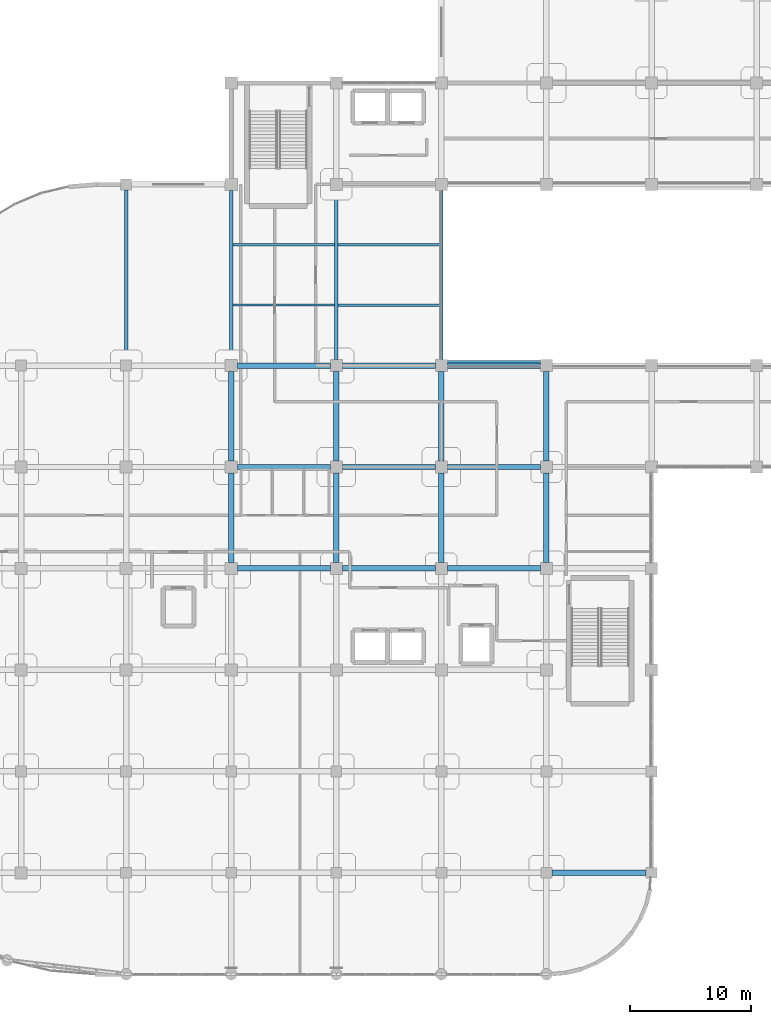
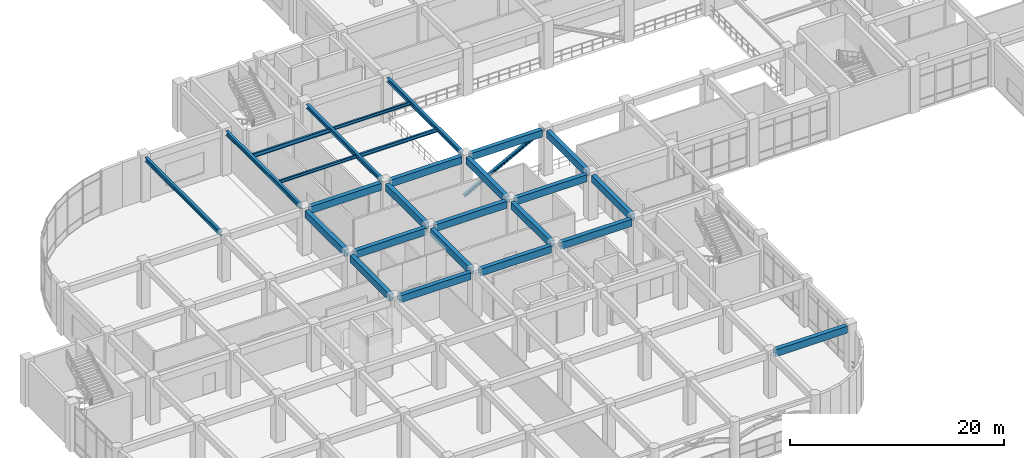
# One storey, part 22 of 114: 26 beams, 1 member.
"""IFC4 building model written with IfcOpenShell, lengths in metres."""

from ifc_helpers import new_model, si_unit, derived_unit, direction, frame, origin, origin_2d, place, context, subcontext, project, spatial, rectangle, i_section, extrude, material, material_profile, profile_set, type_object, element, save


model = new_model("IFC4")

# Units and contexts
model_context = context("Model", 3, precision=1e-05, world=origin(), true_north=direction((0.0, 1.0)))
body_context = subcontext(model_context, "Body", "Model", "MODEL_VIEW")
ifc_project = project(units=[si_unit("LENGTHUNIT", "METRE"), si_unit("AREAUNIT", "SQUARE_METRE"), si_unit("VOLUMEUNIT", "CUBIC_METRE"), si_unit("PLANEANGLEUNIT", "RADIAN"), si_unit("MASSUNIT", "GRAM", prefix="KILO"), derived_unit("THERMALTRANSMITTANCEUNIT", [(si_unit("MASSUNIT", "GRAM", prefix="KILO"), 1), (si_unit("TIMEUNIT", "SECOND"), -3), (si_unit("THERMODYNAMICTEMPERATUREUNIT", "KELVIN"), -1)])], contexts=[model_context])

# Site, building, storey
site_placement = place(None, origin())
site = spatial("IfcSite", under=ifc_project, at=site_placement, CompositionType="ELEMENT")
building_placement = place(site_placement, origin())
building = spatial("IfcBuilding", under=site, at=building_placement, Name="Qinzheling Arcade Emporium", CompositionType="ELEMENT")
storey_placement = place(building_placement, frame((0.0, 0.0, 6.0)))
storey = spatial("IfcBuildingStorey", under=building, at=storey_placement, Name="L02", CompositionType="ELEMENT", Elevation=6.0)

# Beams
ifc_material_1 = material(Name="Structural steel Q355B", Category="steel")
ifc_material_profile_1 = material_profile(ifc_material_1, i_section(OverallWidth=0.300048828125, OverallDepth=0.488037109375, WebThickness=0.010986328125, FlangeThickness=0.01806640625, FilletRadius=0.02197265625, at=origin_2d()), Name="HM 488x300x11x18", Category="steel")
ifc_profile_set_1 = profile_set([ifc_material_profile_1], Name="Structural steel Q355B")
beam_type_1 = type_object("IfcBeamType", Name="Atrium Bridge Girder HM488 Q355B", PredefinedType="USERDEFINED", material=ifc_profile_set_1)
beam_1_placement = place(storey_placement, frame((26.10009765625, 50.85009765625, 4.8759765625), z_axis=(0.0, 1.0, 0.0), x_axis=(-1.0, 0.0, 0.0)))
element("IfcBeam", 1, at=beam_1_placement, inside=storey, type_object=beam_type_1, Name="Beam BM-L02-Y-4-G", ObjectType="TRANSFER_GIRDER", PredefinedType="USERDEFINED", context=body_context, shape_type="SweptSolid", body=[
    extrude(i_section(OverallWidth=0.300048828125, OverallDepth=0.488037109375, WebThickness=0.010986328125, FlangeThickness=0.01806640625, FilletRadius=0.02197265625, at=origin_2d()), origin(), (0.0, 0.0, 1.0), 14.099853515625),
])
for number, where, z_axis, x_axis, name in (
    (2, (34.800048828125, 50.89990234375, 4.8759765625), (0.0, 1.0, 0.0), (-1.0, 0.0, 0.0), "Beam BM-L02-Y-5-G"),
    (3, (43.5, 50.89990234375, 4.8759765625), (0.0, 1.0, 0.0), (-1.0, 0.0, 0.0), "Beam BM-L02-Y-6-G"),
    (4, (52.199951171875, 50.89990234375, 4.8759765625), (0.0, 1.0, 0.0), (-1.0, 0.0, 0.0), "Beam BM-L02-Y-7-G"),
):
    element("IfcBeam", number, at=place(storey_placement, frame(where, z_axis=z_axis, x_axis=x_axis)), inside=storey, type_object=beam_type_1, Name=name, ObjectType="TRANSFER_GIRDER", PredefinedType="USERDEFINED", context=body_context, shape_type="SweptSolid", body=[
        extrude(i_section(OverallWidth=0.300048828125, OverallDepth=0.488037109375, WebThickness=0.010986328125, FlangeThickness=0.01806640625, FilletRadius=0.02197265625, at=origin_2d()), origin(), (0.0, 0.0, 1.0), 14.0),
    ])
ifc_material_profile_2 = material_profile(ifc_material_1, i_section(OverallWidth=0.175048828125, OverallDepth=0.35009765625, WebThickness=0.007080078125, FlangeThickness=0.010986328125, FilletRadius=0.013916015625, at=origin_2d()), Name="HN 350x175x7x11", Category="steel")
ifc_profile_set_2 = profile_set([ifc_material_profile_2], Name="Structural steel Q355B")
beam_type_2 = type_object("IfcBeamType", Name="Canopy Secondary Joist HN350 Q355B", PredefinedType="JOIST", material=ifc_profile_set_2)
for number, where, z_axis, x_axis, name in (
    (5, (34.955078125, 55.39990234375, 4.945068359375), (1.0, 0.0, 0.0), (0.0, 1.0, 0.0), "Secondary Joist JST-L02-5-1"),
    (6, (43.655029296875, 60.39990234375, 4.945068359375), (1.0, 0.0, 0.0), (0.0, 1.0, 0.0), "Secondary Joist JST-L02-6-2"),
):
    element("IfcBeam", number, at=place(storey_placement, frame(where, z_axis=z_axis, x_axis=x_axis)), inside=storey, type_object=beam_type_2, Name=name, PredefinedType="JOIST", context=body_context, shape_type="SweptSolid", body=[
        extrude(i_section(OverallWidth=0.175048828125, OverallDepth=0.35009765625, WebThickness=0.007080078125, FlangeThickness=0.010986328125, FilletRadius=0.013916015625, at=origin_2d()), origin(), (0.0, 0.0, 1.0), 8.389892578125),
    ])

# Member
ifc_material_profile_3 = material_profile(ifc_material_1, i_section(OverallWidth=0.300048828125, OverallDepth=0.300048828125, WebThickness=0.010009765625, FlangeThickness=0.014892578125, FilletRadius=0.01806640625, at=origin_2d()), Name="HW 300x300x10x15", Category="steel")
ifc_profile_set_3 = profile_set([ifc_material_profile_3], Name="Structural steel Q355B")
member_type = type_object("IfcMemberType", Name="Escalator Truss Stringer HW300 Q355B", PredefinedType="STRINGER", material=ifc_profile_set_3)
member_placement = place(storey_placement, frame((52.199951171875, 50.679931640625, 0.179931640625), z_axis=(0.881080107144, 0.0, 0.472967065233), x_axis=(0.0, 1.0, 0.0)))
element("IfcMember", 7, at=member_placement, inside=storey, type_object=member_type, Name="Escalator Stringer ESC-STR-L02-1", PredefinedType="STRINGER", context=body_context, shape_type="SweptSolid", body=[
    extrude(i_section(OverallWidth=0.300048828125, OverallDepth=0.300048828125, WebThickness=0.010009765625, FlangeThickness=0.014892578125, FilletRadius=0.01806640625, at=origin_2d()), origin(), (0.0, 0.0, 1.0), 9.874267578125),
])

# Beams
ifc_material_2 = material(Name="Concrete C40", Category="concrete")
ifc_material_profile_4 = material_profile(ifc_material_2, rectangle(XDim=0.449951171875, YDim=0.800048828125, at=origin_2d()), Name="RC 450x800", Category="concrete")
ifc_profile_set_4 = profile_set([ifc_material_profile_4], Name="Concrete C40")
beam_type_3 = type_object("IfcBeamType", Name="RC Primary Frame Beam 450x800 C40", PredefinedType="BEAM", material=ifc_profile_set_4)
beam_2_placement = place(storey_placement, frame((61.35009765625, 8.39990234375, 4.719970703125), z_axis=(1.0, 0.0, 0.0), x_axis=(0.0, 1.0, 0.0)))
element("IfcBeam", 8, at=beam_2_placement, inside=storey, type_object=beam_type_3, Name="Beam BM-L02-X-B-8", PredefinedType="BEAM", context=body_context, shape_type="SweptSolid", body=[
    extrude(rectangle(XDim=0.449951171875, YDim=0.800048828125, at=origin_2d()), origin(), (0.0, 0.0, 1.0), 7.7998046875),
])
for number, where, z_axis, x_axis, name in (
    (9, (35.300048828125, 33.60009765625, 4.719970703125), (1.0, 0.0, 0.0), (0.0, 1.0, 0.0), "Beam BM-L02-X-E-5"),
    (10, (44.0, 33.60009765625, 4.719970703125), (1.0, 0.0, 0.0), (0.0, 1.0, 0.0), "Beam BM-L02-X-E-6"),
    (11, (52.699951171875, 33.60009765625, 4.719970703125), (1.0, 0.0, 0.0), (0.0, 1.0, 0.0), "Beam BM-L02-X-E-7"),
    (12, (35.300048828125, 42.0, 4.719970703125), (1.0, 0.0, 0.0), (0.0, 1.0, 0.0), "Beam BM-L02-X-F-5"),
    (13, (44.0, 42.0, 4.719970703125), (1.0, 0.0, 0.0), (0.0, 1.0, 0.0), "Beam BM-L02-X-F-6"),
    (14, (52.699951171875, 42.0, 4.719970703125), (1.0, 0.0, 0.0), (0.0, 1.0, 0.0), "Beam BM-L02-X-F-7"),
    (15, (35.300048828125, 50.39990234375, 4.719970703125), (1.0, 0.0, 0.0), (0.0, 1.0, 0.0), "Beam BM-L02-X-G-5"),
    (16, (44.0, 50.39990234375, 4.719970703125), (1.0, 0.0, 0.0), (0.0, 1.0, 0.0), "Beam BM-L02-X-G-6"),
    (17, (52.699951171875, 50.39990234375, 4.719970703125), (1.0, 0.0, 0.0), (0.0, 1.0, 0.0), "Beam BM-L02-X-G-7"),
):
    element("IfcBeam", number, at=place(storey_placement, frame(where, z_axis=z_axis, x_axis=x_axis)), inside=storey, type_object=beam_type_3, Name=name, PredefinedType="BEAM", context=body_context, shape_type="SweptSolid", body=[
        extrude(rectangle(XDim=0.449951171875, YDim=0.800048828125, at=origin_2d()), origin(), (0.0, 0.0, 1.0), 7.699951171875),
    ])
for number, where, z_axis, x_axis, name in (
    (18, (34.800048828125, 34.10009765625, 4.719970703125), (0.0, 1.0, 0.0), (-1.0, 0.0, 0.0), "Beam BM-L02-Y-5-E"),
    (19, (34.800048828125, 42.5, 4.719970703125), (0.0, 1.0, 0.0), (-1.0, 0.0, 0.0), "Beam BM-L02-Y-5-F"),
    (20, (43.5, 34.10009765625, 4.719970703125), (0.0, 1.0, 0.0), (-1.0, 0.0, 0.0), "Beam BM-L02-Y-6-E"),
    (21, (43.5, 42.5, 4.719970703125), (0.0, 1.0, 0.0), (-1.0, 0.0, 0.0), "Beam BM-L02-Y-6-F"),
    (22, (52.199951171875, 34.10009765625, 4.719970703125), (0.0, 1.0, 0.0), (-1.0, 0.0, 0.0), "Beam BM-L02-Y-7-E"),
    (23, (52.199951171875, 42.5, 4.719970703125), (0.0, 1.0, 0.0), (-1.0, 0.0, 0.0), "Beam BM-L02-Y-7-F"),
    (24, (60.89990234375, 34.10009765625, 4.719970703125), (0.0, 1.0, 0.0), (-1.0, 0.0, 0.0), "Beam BM-L02-Y-8-E"),
    (25, (60.89990234375, 42.5, 4.719970703125), (0.0, 1.0, 0.0), (-1.0, 0.0, 0.0), "Beam BM-L02-Y-8-F"),
):
    element("IfcBeam", number, at=place(storey_placement, frame(where, z_axis=z_axis, x_axis=x_axis)), inside=storey, type_object=beam_type_3, Name=name, PredefinedType="BEAM", context=body_context, shape_type="SweptSolid", body=[
        extrude(rectangle(XDim=0.449951171875, YDim=0.800048828125, at=origin_2d()), origin(), (0.0, 0.0, 1.0), 7.39990234375),
    ])
ifc_material_profile_5 = material_profile(ifc_material_1, i_section(OverallWidth=0.199951171875, OverallDepth=0.449951171875, WebThickness=0.009033203125, FlangeThickness=0.013916015625, FilletRadius=0.01611328125, at=origin_2d()), Name="HN 450x200x9x14", Category="steel")
ifc_profile_set_5 = profile_set([ifc_material_profile_5], Name="Structural steel Q355B")
beam_type_4 = type_object("IfcBeamType", Name="Secondary Floor Joist HN450 Q355B", PredefinedType="JOIST", material=ifc_profile_set_5)
beam_3_placement = place(storey_placement, frame((34.955078125, 60.39990234375, 4.89501953125), z_axis=(1.0, 0.0, 0.0), x_axis=(0.0, 1.0, 0.0)))
element("IfcBeam", 26, at=beam_3_placement, inside=storey, type_object=beam_type_4, Name="Secondary Joist JST-L02-5-2", PredefinedType="JOIST", context=body_context, shape_type="SweptSolid", body=[
    extrude(i_section(OverallWidth=0.199951171875, OverallDepth=0.449951171875, WebThickness=0.009033203125, FlangeThickness=0.013916015625, FilletRadius=0.01611328125, at=origin_2d()), origin(), (0.0, 0.0, 1.0), 8.389892578125),
])
ifc_material_profile_6 = material_profile(ifc_material_1, i_section(OverallWidth=0.199951171875, OverallDepth=0.39990234375, WebThickness=0.008056640625, FlangeThickness=0.012939453125, FilletRadius=0.01611328125, at=origin_2d()), Name="HN 400x200x8x13", Category="steel")
ifc_profile_set_6 = profile_set([ifc_material_profile_6], Name="Structural steel Q355B")
beam_type_5 = type_object("IfcBeamType", Name="Storm Eave Outlooker Joist HN400 Q355B", PredefinedType="JOIST", material=ifc_profile_set_6)
beam_4_placement = place(storey_placement, frame((43.655029296875, 55.39990234375, 4.919921875), z_axis=(1.0, 0.0, 0.0), x_axis=(0.0, 1.0, 0.0)))
element("IfcBeam", 27, at=beam_4_placement, inside=storey, type_object=beam_type_5, Name="Secondary Joist JST-L02-6-1", PredefinedType="JOIST", context=body_context, shape_type="SweptSolid", body=[
    extrude(i_section(OverallWidth=0.199951171875, OverallDepth=0.39990234375, WebThickness=0.008056640625, FlangeThickness=0.012939453125, FilletRadius=0.01611328125, at=origin_2d()), origin(), (0.0, 0.0, 1.0), 8.389892578125),
])

save(model, "model.ifc")
